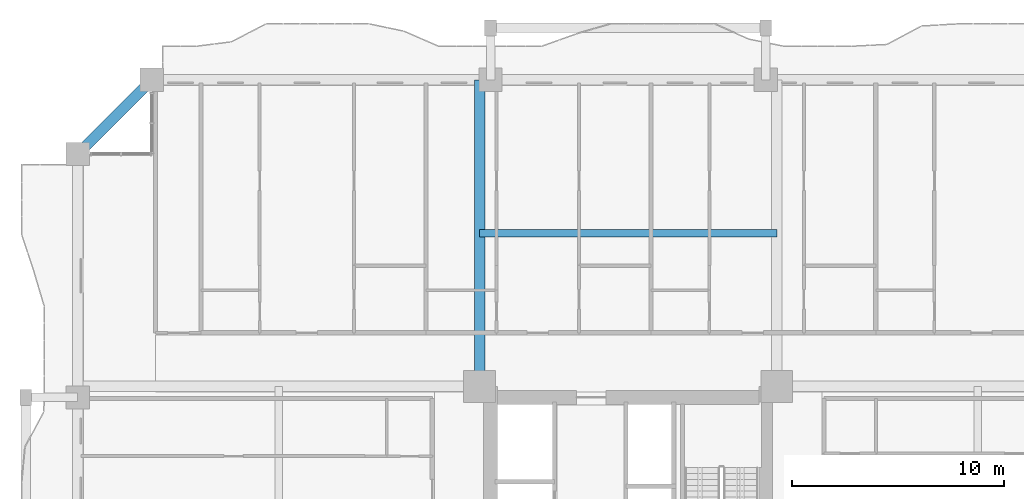
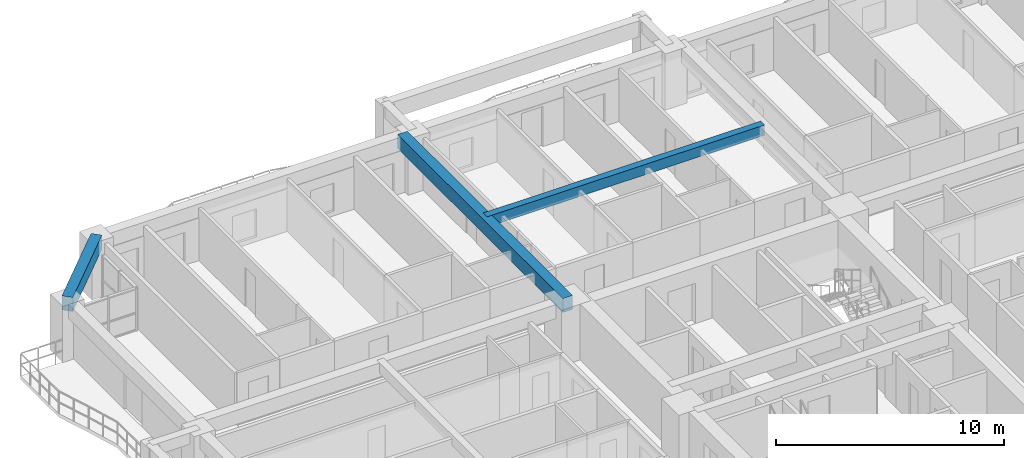
# One storey, part 7 of 27: 3 beams.
"""IFC4 building model written with IfcOpenShell, lengths in metres."""

import ifcopenshell
import ifcopenshell.guid

model = None  # the IFC model being written
_history = None  # IfcOwnerHistory: only IFC2X3 demands one
_inside = {}  # id of a spatial element -> (the spatial element, [elements in it])
_under = {}  # id of a project, library or spatial element -> (it, [spatial elements below it])
_declared = {}  # id of a project -> (the project, [libraries it declares])
_typed = {}  # id of a type object -> (the type object, [elements of that type])
_made_of = {}  # id of a material, layer set ... -> (it, [elements and type objects made of it])


def new_model(schema):
    """Start an empty IFC model of exactly this schema.

    Asked for "IFC4X3", IfcOpenShell would pick the latest addendum, in which some entities
    have other attributes; the version numbers below select the first issue.
    IFC2X3 requires an IfcOwnerHistory on every rooted entity: one is made here for all.
    """
    global model, _history
    if schema == "IFC4X3":
        model = ifcopenshell.file(schema_version=(4, 3, 0, 0))
    else:
        model = ifcopenshell.file(schema=schema)
    _inside.clear()
    _under.clear()
    _declared.clear()
    _typed.clear()
    _made_of.clear()
    _history = None
    if model.schema == "IFC2X3":
        org = make("IfcOrganization", Name="unknown")
        user = make(
            "IfcPersonAndOrganization",
            ThePerson=make("IfcPerson", FamilyName="unknown"),
            TheOrganization=org,
        )
        app = make(
            "IfcApplication",
            ApplicationDeveloper=org,
            Version="unknown",
            ApplicationFullName="unknown",
            ApplicationIdentifier="unknown",
        )
        _history = make(
            "IfcOwnerHistory",
            OwningUser=user,
            OwningApplication=app,
            ChangeAction="ADDED",
            CreationDate=0,
        )
    return model


def make(cls, **values):
    """One entity of the class cls with the attributes given. An attribute that is None is left unset."""
    return model.create_entity(
        cls, **{name: value for name, value in values.items() if value is not None}
    )


def rooted(cls, **values):
    """An entity with a GlobalId (a new one), such as an element, a storey or a relation."""
    return make(cls, GlobalId=ifcopenshell.guid.new(), OwnerHistory=_history, **values)


def si_unit(unit_type, name, prefix=None):
    """IfcSIUnit, for example si_unit("LENGTHUNIT", "METRE", prefix="MILLI")."""
    return make("IfcSIUnit", UnitType=unit_type, Prefix=prefix, Name=name)


def assignment(units):
    """IfcUnitAssignment: the units of a project."""
    return None if units is None else make("IfcUnitAssignment", Units=units)


def point(xyz):
    """IfcCartesianPoint."""
    return None if xyz is None else make("IfcCartesianPoint", Coordinates=xyz)


def direction(xyz):
    """IfcDirection."""
    return None if xyz is None else make("IfcDirection", DirectionRatios=xyz)


def frame(location, z_axis=None, x_axis=None):
    """IfcAxis2Placement3D, a coordinate frame: its origin and axes. An axis left out is left unset."""
    return make(
        "IfcAxis2Placement3D",
        Location=point(location),
        Axis=direction(z_axis),
        RefDirection=direction(x_axis),
    )


def frame_2d(location, x_axis=None):
    """IfcAxis2Placement2D, a coordinate frame in the plane: its origin and x axis."""
    return make(
        "IfcAxis2Placement2D", Location=point(location), RefDirection=direction(x_axis)
    )


def origin():
    """The frame at (0, 0, 0) with its axes left unset."""
    return frame((0.0, 0.0, 0.0))


def origin_2d():
    """The frame at (0, 0) in the plane with its x axis left unset."""
    return frame_2d((0.0, 0.0))


def place(relative_to, where):
    """IfcLocalPlacement: puts the frame where relative to a parent placement (None: the world)."""
    return make(
        "IfcLocalPlacement", PlacementRelTo=relative_to, RelativePlacement=where
    )


def context(
    kind, dimensions, precision=None, world=None, true_north=None, identifier=None
):
    """IfcGeometricRepresentationContext, for example the 3D "Model" context."""
    return make(
        "IfcGeometricRepresentationContext",
        ContextIdentifier=identifier,
        ContextType=kind,
        CoordinateSpaceDimension=dimensions,
        Precision=precision,
        WorldCoordinateSystem=world,
        TrueNorth=true_north,
    )


def subcontext(parent, identifier, kind, view, scale=None):
    """IfcGeometricRepresentationSubContext, for example "Body" below "Model"."""
    return make(
        "IfcGeometricRepresentationSubContext",
        ContextIdentifier=identifier,
        ContextType=kind,
        ParentContext=parent,
        TargetScale=scale,
        TargetView=view,
    )


def project(units=None, contexts=None):
    """IfcProject with its units and contexts."""
    return rooted(
        "IfcProject",
        Name="project",
        RepresentationContexts=contexts,
        UnitsInContext=assignment(units),
    )


def spatial(cls, under=None, at=None, **own):
    """A site, building, storey or space (cls), placed at a placement, below another one or the project."""
    s = rooted(cls, ObjectPlacement=at, **own)
    if under is not None:
        _under.setdefault(under.id(), (under, []))[1].append(s)
    return s


def profile(cls, at=None, kind="AREA", **sizes):
    """A parametric profile (cls). Its sizes go by their IFC names, for example OverallWidth=200.0."""
    return make(cls, ProfileType=kind, Position=at, **sizes)


def rectangle(**sizes):
    """IfcRectangleProfileDef."""
    return profile("IfcRectangleProfileDef", **sizes)


def extrude(swept, where, along, depth):
    """IfcExtrudedAreaSolid: the profile swept, set in the frame where, extruded along a direction by depth."""
    return make(
        "IfcExtrudedAreaSolid",
        SweptArea=swept,
        Position=where,
        ExtrudedDirection=direction(along),
        Depth=depth,
    )


def shape(context_of_items, identifier, shape_type, items):
    """IfcShapeRepresentation: the items that make up one representation, for example the "Body"."""
    return make(
        "IfcShapeRepresentation",
        ContextOfItems=context_of_items,
        RepresentationIdentifier=identifier,
        RepresentationType=shape_type,
        Items=items,
    )


def source(mapping_origin, context_of_items, identifier, shape_type, items):
    """IfcRepresentationMap: a shape defined once, which mapped items show again and again."""
    return make(
        "IfcRepresentationMap",
        MappingOrigin=mapping_origin,
        MappedRepresentation=shape(context_of_items, identifier, shape_type, items),
    )


def transform(
    local_origin,
    x_axis=None,
    y_axis=None,
    z_axis=None,
    scale=None,
    scale2=None,
    scale3=None,
    uniform=True,
):
    """IfcCartesianTransformationOperator3D, or its non-uniform kind. x_axis, y_axis, z_axis: its Axis1, 2, 3."""
    if uniform:
        return make(
            "IfcCartesianTransformationOperator3D",
            Axis1=direction(x_axis),
            Axis2=direction(y_axis),
            LocalOrigin=point(local_origin),
            Scale=scale,
            Axis3=direction(z_axis),
        )
    return make(
        "IfcCartesianTransformationOperator3DnonUniform",
        Axis1=direction(x_axis),
        Axis2=direction(y_axis),
        LocalOrigin=point(local_origin),
        Scale=scale,
        Axis3=direction(z_axis),
        Scale2=scale2,
        Scale3=scale3,
    )


def mapped(mapping_source, mapping_target):
    """IfcMappedItem: shows the shape of a source again, moved by a transform."""
    return make(
        "IfcMappedItem", MappingSource=mapping_source, MappingTarget=mapping_target
    )


def material(Name=None, Category=None):
    """IfcMaterial."""
    return make("IfcMaterial", Name=Name, Category=Category)


def material_profile(
    of_material, cross_section, Name=None, Category=None, Priority=None
):
    """IfcMaterialProfile: a cross section and its material."""
    return make(
        "IfcMaterialProfile",
        Name=Name,
        Material=of_material,
        Profile=cross_section,
        Priority=Priority,
        Category=Category,
    )


def profile_set(profiles, Name=None, composite=None):
    """IfcMaterialProfileSet."""
    return make(
        "IfcMaterialProfileSet",
        Name=Name,
        MaterialProfiles=profiles,
        CompositeProfile=composite,
    )


def made_of(thing, what):
    """Note that an element or type object is made of a material, layer set ...; save() writes the relation."""
    if what is not None:
        _made_of.setdefault(what.id(), (what, []))[1].append(thing)
    return thing


def type_object(cls, material=None, **own):
    """A type object (cls), such as IfcWallType, which elements share."""
    return made_of(rooted(cls, **own), material)


def element(
    cls,
    number,
    at=None,
    inside=None,
    cuts=None,
    type_object=None,
    material=None,
    context=None,
    identifier="Body",
    shape_type=None,
    held_by="IfcProductDefinitionShape",
    body=None,
    shapes=None,
    **own,
):
    """One element of the class cls, such as IfcWall. Its Tag is "e" and its number.

    at: its placement. inside: the storey or other place that contains it. cuts: it is an
    opening in that element (IfcRelVoidsElement). A single representation is given by context,
    identifier, shape_type and body (its items); several are given by shapes. held_by: the class
    of the entity that holds the representations. save() writes the other relations.
    """
    e = rooted(cls, Tag="e%d" % number, ObjectPlacement=at, **own)
    if body is not None:
        shapes = [shape(context, identifier, shape_type, body)]
    if shapes is not None:
        e.Representation = make(held_by, Representations=shapes)
    if inside is not None:
        _inside.setdefault(inside.id(), (inside, []))[1].append(e)
    if cuts is not None:
        rooted(
            "IfcRelVoidsElement", RelatingBuildingElement=cuts, RelatedOpeningElement=e
        )
    if type_object is not None:
        _typed.setdefault(type_object.id(), (type_object, []))[1].append(e)
    return made_of(e, material)


def aggregate(whole, parts):
    """IfcRelAggregates: a whole, such as a stair, and the parts it consists of."""
    return rooted("IfcRelAggregates", RelatingObject=whole, RelatedObjects=parts)


def save(model, path):
    """Write the relations noted so far, then the file.

    IfcRelAggregates (storeys below a building ...), IfcRelContainedInSpatialStructure (elements
    in a storey), IfcRelDefinesByType, IfcRelAssociatesMaterial and IfcRelDeclares: one each for
    every whole, place, type object, material and project.
    """
    for whole, parts in _under.values():
        aggregate(whole, parts)
    for where, things in _inside.values():
        rooted(
            "IfcRelContainedInSpatialStructure",
            RelatedElements=things,
            RelatingStructure=where,
        )
    for kind, things in _typed.values():
        rooted("IfcRelDefinesByType", RelatedObjects=things, RelatingType=kind)
    for what, things in _made_of.values():
        rooted("IfcRelAssociatesMaterial", RelatedObjects=things, RelatingMaterial=what)
    for by, libraries in _declared.values():
        rooted("IfcRelDeclares", RelatingContext=by, RelatedDefinitions=libraries)
    model.write(path)


model = new_model("IFC4")

# Units and contexts
model_context = context("Model", 3, precision=1e-05, world=origin(), true_north=direction((0.0, 1.0)))
body_context = subcontext(model_context, "Body", "Model", "MODEL_VIEW")
ifc_project = project(units=[si_unit("LENGTHUNIT", "METRE"), si_unit("AREAUNIT", "SQUARE_METRE"), si_unit("VOLUMEUNIT", "CUBIC_METRE"), si_unit("PLANEANGLEUNIT", "RADIAN"), si_unit("MASSUNIT", "GRAM", prefix="KILO")], contexts=[model_context])

# Site, building, storey
site_placement = place(None, origin())
site = spatial("IfcSite", under=ifc_project, at=site_placement, CompositionType="ELEMENT")
building_placement = place(site_placement, origin())
building = spatial("IfcBuilding", under=site, at=building_placement, Name="Saelheon Loggia Tower", CompositionType="ELEMENT")
storey_placement = place(building_placement, frame((0.0, 0.0, 34.39990234375)))
storey = spatial("IfcBuildingStorey", under=building, at=storey_placement, Name="L10", CompositionType="ELEMENT", Elevation=34.39990234375)

# Beams
ifc_material_1 = material(Name="Concrete C45/55", Category="concrete")
ifc_material_profile_1 = material_profile(ifc_material_1, rectangle(XDim=0.5, YDim=0.75, at=origin_2d()), Name="RC-500x750")
ifc_profile_set_1 = profile_set([ifc_material_profile_1], Name="Concrete C45/55")
beam_type_1 = type_object("IfcBeamType", Name="Beam_FloorGirder_RC500x750", PredefinedType="BEAM", material=ifc_profile_set_1)
shared_shape_1 = source(origin(), body_context, "Body", "SweptSolid", [
    extrude(rectangle(XDim=0.5, YDim=0.75, at=origin_2d()), origin(), (0.0, 0.0, 1.0), 14.47998046875),
])
beam_1_placement = place(storey_placement, frame((30.97998046875, 36.52001953125, 2.625), z_axis=(0.0, 1.0, 0.0), x_axis=(-1.0, 0.0, 0.0)))
element("IfcBeam", 1, at=beam_1_placement, inside=storey, type_object=beam_type_1, Name="L10 Radial Floor Girder RAD-NW-N", PredefinedType="BEAM", context=body_context, shape_type="MappedRepresentation", body=[
    mapped(shared_shape_1, transform((0.0, 0.0, 0.0), scale=1.0)),
])
ifc_material_profile_2 = material_profile(ifc_material_1, rectangle(XDim=0.5, YDim=0.75, at=origin_2d()), Name="RC-500x750")
ifc_profile_set_2 = profile_set([ifc_material_profile_2], Name="Concrete C45/55")
beam_type_2 = type_object("IfcBeamType", Name="Beam_PerimGirder_RC500x750", PredefinedType="BEAM", material=ifc_profile_set_2)
shared_shape_2 = source(origin(), body_context, "Body", "SweptSolid", [
    extrude(rectangle(XDim=0.5, YDim=0.75, at=origin_2d()), origin(), (0.0, 0.0, 1.0), 4.94970703125),
])
beam_2_placement = place(storey_placement, frame((15.5, 51.0, 2.625), z_axis=(-0.707106781187, -0.707106781187, 0.0), x_axis=(0.707106781187, -0.707106781187, 0.0)))
element("IfcBeam", 2, at=beam_2_placement, inside=storey, type_object=beam_type_2, Name="L10 Perimeter Frame Girder 12", PredefinedType="BEAM", context=body_context, shape_type="MappedRepresentation", body=[
    mapped(shared_shape_2, transform((0.0, 0.0, 0.0), scale=1.0)),
])
ifc_material_2 = material(Name="Concrete C40/50", Category="concrete")
ifc_material_profile_3 = material_profile(ifc_material_2, rectangle(XDim=0.35009765625, YDim=0.550048828125, at=origin_2d()), Name="RC-350x550")
ifc_profile_set_3 = profile_set([ifc_material_profile_3], Name="Concrete C40/50")
beam_type_3 = type_object("IfcBeamType", Name="Beam_Joist_RC350x550", PredefinedType="JOIST", material=ifc_profile_set_3)
shared_shape_3 = source(origin(), body_context, "Body", "SweptSolid", [
    extrude(rectangle(XDim=0.35009765625, YDim=0.550048828125, at=origin_2d()), origin(), (0.0, 0.0, 1.0), 14.0400390625),
])
beam_3_placement = place(storey_placement, frame((30.97998046875, 43.760009765625, 2.72509765625), z_axis=(1.0, 0.0, 0.0), x_axis=(0.0, 1.0, 0.0)))
element("IfcBeam", 3, at=beam_3_placement, inside=storey, type_object=beam_type_3, Name="L10 North Floor Joist", PredefinedType="JOIST", context=body_context, shape_type="MappedRepresentation", body=[
    mapped(shared_shape_3, transform((0.0, 0.0, 0.0), scale=1.0)),
])

save(model, "model.ifc")
